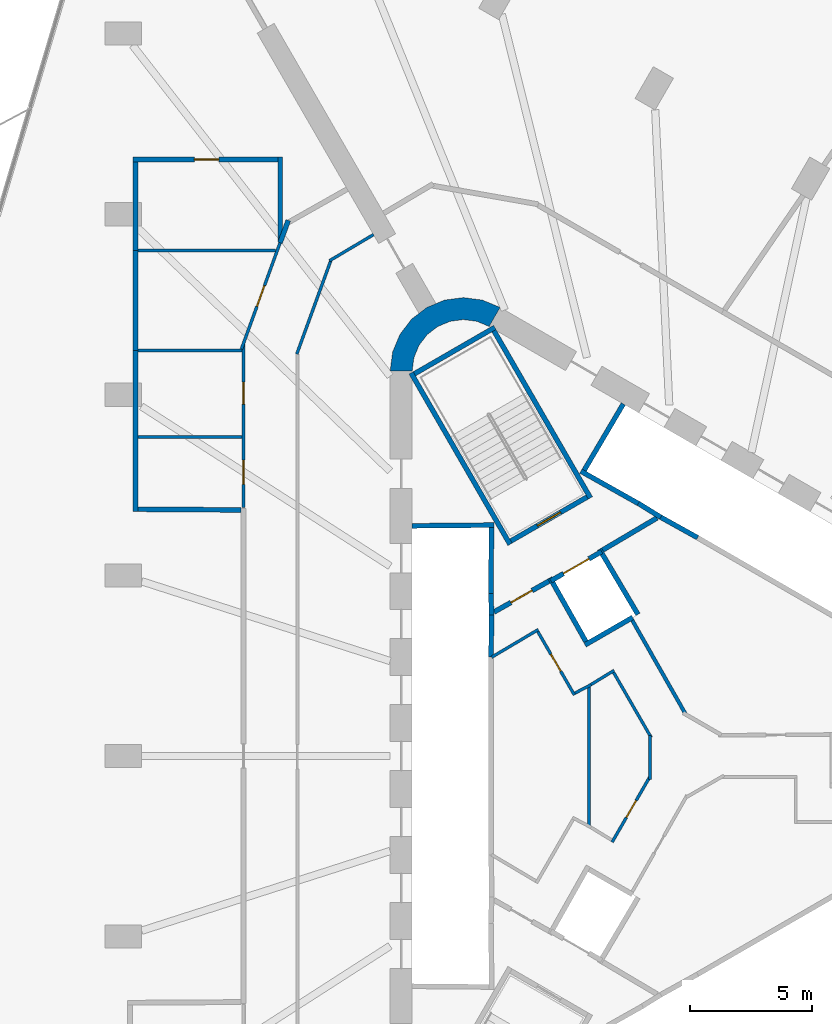
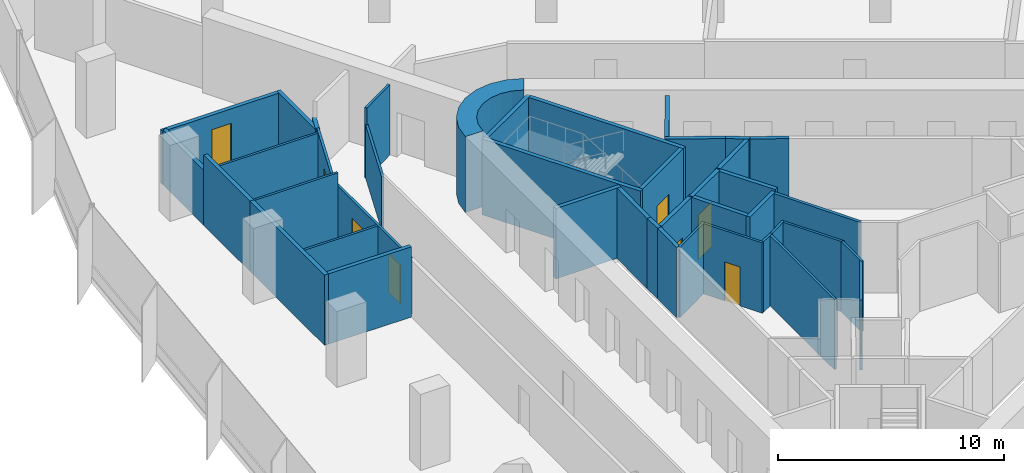
# One storey, part 11 of 15: 42 walls, 9 doors, 9 openings.
"""IFC4 building model written with IfcOpenShell, lengths in metres."""

from ifc_helpers import new_model, si_unit, direction, frame, frame_2d, origin, place, context, subcontext, project, spatial, polyline, rectangle, outline, extrude, material, layer, layer_set, type_object, element, fill, save


model = new_model("IFC4")

# Units and contexts
model_context = context("Model", 3, precision=1e-05, world=origin(), true_north=direction((0.0, 1.0)))
body_context = subcontext(model_context, "Body", "Model", "MODEL_VIEW")
ifc_project = project(units=[si_unit("LENGTHUNIT", "METRE"), si_unit("AREAUNIT", "SQUARE_METRE"), si_unit("VOLUMEUNIT", "CUBIC_METRE"), si_unit("PLANEANGLEUNIT", "RADIAN"), si_unit("MASSUNIT", "GRAM", prefix="KILO")], contexts=[model_context])

# Site, building, storey
site_placement = place(None, origin())
site = spatial("IfcSite", under=ifc_project, at=site_placement, CompositionType="ELEMENT")
building_placement = place(site_placement, origin())
building = spatial("IfcBuilding", under=site, at=building_placement, Name="Tanit Gate Tower", CompositionType="ELEMENT")
storey_placement = place(building_placement, frame((0.0, 0.0, 98.800048828125)))
storey = spatial("IfcBuildingStorey", under=building, at=storey_placement, Name="L20", CompositionType="ELEMENT", Elevation=98.800048828125)

# Walls
ifc_material_1 = material(Name="Concrete C60/75", Category="concrete")
ifc_layer_1 = layer(ifc_material_1, 0.89990234375)
ifc_layer_set_1 = layer_set([ifc_layer_1], Name="CORE WALL 900 C60/75")
wall_type_1 = type_object("IfcWallType", Name="CORE WALL 900 C60/75", PredefinedType="SHEAR", material=ifc_layer_set_1)
wall_1_placement = place(storey_placement, origin())
element("IfcWall", 1, at=wall_1_placement, inside=storey, type_object=wall_type_1, Name="CORE WALL CORNER", PredefinedType="SHEAR", context=body_context, shape_type="SweptSolid", body=[
    extrude(outline(polyline([(-7.60009765625, 18.359619140625), (-8.323486328125, 18.659423828125), (-9.10009765625, 18.76171875), (-9.87646484375, 18.659423828125), (-10.60009765625, 18.359619140625), (-11.22119140625, 17.883056640625), (-11.697998046875, 17.26171875), (-11.997802734375, 16.5380859375), (-12.10009765625, 15.76171875), (-11.199951171875, 15.76171875), (-11.12841796875, 16.30517578125), (-10.918701171875, 16.811767578125), (-10.5849609375, 17.24658203125), (-10.14990234375, 17.580322265625), (-9.6435546875, 17.7900390625), (-9.10009765625, 17.86181640625), (-8.556396484375, 17.7900390625), (-8.050048828125, 17.580322265625), (-7.60009765625, 18.359619140625)])), origin(), (0.0, 0.0, 1.0), 4.099853515625),
])
ifc_material_2 = material(Name="Fire-rated gypsum board partition")
ifc_layer_2 = layer(ifc_material_2, 0.199951171875)
ifc_layer_set_2 = layer_set([ifc_layer_2], Name="INT-WALL-COMPARTMENT")
wall_type_2 = type_object("IfcWallType", Name="INT-WALL-COMPARTMENT", PredefinedType="PARTITIONING", material=ifc_layer_set_2)
wall_2_placement = place(storey_placement, frame((-1.1796875, 9.744384765625, 0.0), z_axis=(0.0, 0.0, 1.0), x_axis=(-0.860615607571, -0.509255118781, 0.0)))
element("IfcWall", 2, at=wall_2_placement, inside=storey, type_object=wall_type_2, Name="Wall Compartment W061", PredefinedType="PARTITIONING", context=body_context, shape_type="SweptSolid", body=[
    extrude(rectangle(XDim=2.58056640625, YDim=0.199951171875, at=frame_2d((1.290283203125, 0.0))), origin(), (0.0, 0.0, 1.0), 3.800048828125),
])

# Wall, opening, door
wall_3_placement = place(storey_placement, frame((-5.600341796875, 7.16015625, 0.0), z_axis=(0.0, 0.0, 1.0), x_axis=(-0.871363259478, -0.490638431059, 0.0)))
wall_3 = element("IfcWall", 3, at=wall_3_placement, inside=storey, type_object=wall_type_2, Name="Wall Compartment W062", PredefinedType="PARTITIONING", context=body_context, shape_type="SweptSolid", body=[
    extrude(rectangle(XDim=2.5810546875, YDim=0.199951171875, at=frame_2d((1.29052734375, 0.0))), origin(), (0.0, 0.0, 1.0), 3.800048828125),
])
opening_1_placement = place(wall_3_placement, frame((0.79052734375, 0.0, 0.0)))
opening_1 = element("IfcOpeningElement", 4, at=opening_1_placement, cuts=wall_3, Name="Opening F10-S04-05", PredefinedType="OPENING", context=body_context, shape_type="SweptSolid", body=[
    extrude(rectangle(XDim=1.0, YDim=2.10009765625, at=frame_2d((0.5, 1.050048828125))), frame((0.0, 0.10986328125, 0.0), z_axis=(0.0, -1.0, 0.0), x_axis=(1.0, 0.0, 0.0)), (0.0, 0.0, 1.0), 0.219970703125),
])
ifc_material_3 = material(Name="Fire-rated steel door leaf", Category="steel")
door_type_1 = type_object("IfcDoorType", Name="INT-DOOR-FIRE-1000", OperationType="NOTDEFINED", PredefinedType="USERDEFINED", material=ifc_material_3)
door_1_placement = place(opening_1_placement, origin())
door_1 = element("IfcDoor", 5, at=door_1_placement, inside=storey, type_object=door_type_1, Name="Door F10-S04-05", ObjectType="FIRE DOOR", OperationType="SINGLE_SWING_LEFT", OverallHeight=2.10009765625, OverallWidth=1.0, PredefinedType="USERDEFINED", context=body_context, shape_type="SweptSolid", body=[
    extrude(rectangle(XDim=1.0, YDim=2.10009765625, at=frame_2d((0.5, 1.050048828125))), frame((0.0, 0.02490234375, 0.0), z_axis=(0.0, -1.0, 0.0), x_axis=(1.0, 0.0, 0.0)), (0.0, 0.0, 1.0), 0.050048828125),
])
fill(opening_1, door_1)

# Walls
wall_4_placement = place(storey_placement, frame((-16.271484375, 21.922607421875, 0.0), z_axis=(0.0, 0.0, 1.0), x_axis=(-0.342165073447, -0.939639857878, 0.0)))
element("IfcWall", 6, at=wall_4_placement, inside=storey, type_object=wall_type_2, Name="Wall Compartment W094", PredefinedType="PARTITIONING", context=body_context, shape_type="SweptSolid", body=[
    extrude(rectangle(XDim=0.975341796875, YDim=0.199951171875, at=frame_2d((0.48779296875, 0.0))), origin(), (0.0, 0.0, 1.0), 2.8798828125),
])
wall_5_placement = place(storey_placement, frame((-22.52001953125, 10.0, 0.0), z_axis=(0.0, 0.0, 1.0), x_axis=(0.0, 1.0, 0.0)))
element("IfcWall", 7, at=wall_5_placement, inside=storey, type_object=wall_type_2, Name="Wall Compartment W120", PredefinedType="PARTITIONING", context=body_context, shape_type="SweptSolid", body=[
    extrude(rectangle(XDim=6.596923828125, YDim=0.199951171875, at=frame_2d((3.29833984375, 0.0))), origin(), (0.0, 0.0, 1.0), 3.800048828125),
])
wall_6_placement = place(storey_placement, frame((-22.52001953125, 16.596923828125, 0.0), z_axis=(0.0, 0.0, 1.0), x_axis=(0.0, 1.0, 0.0)))
element("IfcWall", 8, at=wall_6_placement, inside=storey, type_object=wall_type_2, Name="Wall Compartment W123", PredefinedType="PARTITIONING", context=body_context, shape_type="SweptSolid", body=[
    extrude(rectangle(XDim=4.095458984375, YDim=0.199951171875, at=frame_2d((2.0478515625, 0.0))), origin(), (0.0, 0.0, 1.0), 3.800048828125),
])
wall_7_placement = place(storey_placement, frame((-22.52001953125, 20.6923828125, 0.0), z_axis=(0.0, 0.0, 1.0), x_axis=(0.0, 1.0, 0.0)))
element("IfcWall", 9, at=wall_7_placement, inside=storey, type_object=wall_type_2, Name="Wall Compartment W126", PredefinedType="PARTITIONING", context=body_context, shape_type="SweptSolid", body=[
    extrude(rectangle(XDim=3.61767578125, YDim=0.199951171875, at=frame_2d((1.808837890625, 0.0))), origin(), (0.0, 0.0, 1.0), 2.97998046875),
])
wall_8_placement = place(storey_placement, frame((-18.199951171875, 10.07080078125, 0.0), z_axis=(0.0, 0.0, 1.0), x_axis=(-0.999977091955, 0.006768719685, 0.0)))
element("IfcWall", 10, at=wall_8_placement, inside=storey, type_object=wall_type_2, Name="Wall Compartment W121", PredefinedType="PARTITIONING", context=body_context, shape_type="SweptSolid", body=[
    extrude(rectangle(XDim=4.219970703125, YDim=0.199951171875, at=frame_2d((2.10986328125, 0.0))), origin(), (0.0, 0.0, 1.0), 3.800048828125),
])
wall_9_placement = place(storey_placement, frame((-16.60009765625, 21.03564453125, 0.0), z_axis=(0.0, 0.0, 1.0), x_axis=(0.0, 1.0, 0.0)))
element("IfcWall", 11, at=wall_9_placement, inside=storey, type_object=wall_type_2, Name="Wall Compartment W124", PredefinedType="PARTITIONING", context=body_context, shape_type="SweptSolid", body=[
    extrude(rectangle(XDim=3.474365234375, YDim=0.199951171875, at=frame_2d((1.7373046875, 0.0))), origin(), (0.0, 0.0, 1.0), 2.8798828125),
])

# Wall, opening, door
wall_10_placement = place(storey_placement, frame((-16.699951171875, 24.409912109375, 0.0), z_axis=(0.0, 0.0, 1.0), x_axis=(-1.0, 0.0, 0.0)))
wall_10 = element("IfcWall", 12, at=wall_10_placement, inside=storey, type_object=wall_type_2, Name="Wall Compartment W125", PredefinedType="PARTITIONING", context=body_context, shape_type="SweptSolid", body=[
    extrude(rectangle(XDim=5.920166015625, YDim=0.199951171875, at=frame_2d((2.9599609375, 0.0))), origin(), (0.0, 0.0, 1.0), 2.8798828125),
])
opening_2_placement = place(wall_10_placement, frame((2.409912109375, 0.0, 0.0)))
opening_2 = element("IfcOpeningElement", 13, at=opening_2_placement, cuts=wall_10, Name="Opening F10-S04-19", PredefinedType="OPENING", context=body_context, shape_type="SweptSolid", body=[
    extrude(rectangle(XDim=1.0, YDim=2.10009765625, at=frame_2d((0.5, 1.050048828125))), frame((0.0, 0.10986328125, 0.0), z_axis=(0.0, -1.0, 0.0), x_axis=(1.0, 0.0, 0.0)), (0.0, 0.0, 1.0), 0.219970703125),
])
door_2_placement = place(opening_2_placement, origin())
door_2 = element("IfcDoor", 14, at=door_2_placement, inside=storey, type_object=door_type_1, Name="Door F10-S04-19", ObjectType="FIRE DOOR", OperationType="SINGLE_SWING_LEFT", OverallHeight=2.10009765625, OverallWidth=1.0, PredefinedType="USERDEFINED", context=body_context, shape_type="SweptSolid", body=[
    extrude(rectangle(XDim=1.0, YDim=2.10009765625, at=frame_2d((0.5, 1.050048828125))), frame((0.0, 0.02490234375, 0.0), z_axis=(0.0, -1.0, 0.0), x_axis=(1.0, 0.0, 0.0)), (0.0, 0.0, 1.0), 0.050048828125),
])
fill(opening_2, door_2)

# Walls
ifc_material_4 = material(Name="Gypsum board partition")
ifc_layer_3 = layer(ifc_material_4, 0.1201171875)
ifc_layer_set_3 = layer_set([ifc_layer_3], Name="INT-WALL-PARTITION")
wall_type_3 = type_object("IfcWallType", Name="INT-WALL-PARTITION", PredefinedType="PARTITIONING", material=ifc_layer_set_3)
wall_11_placement = place(storey_placement, frame((-3.9638671875, -2.90771484375, 0.0), z_axis=(0.0, 0.0, 1.0), x_axis=(0.0, 1.0, 0.0)))
element("IfcWall", 15, at=wall_11_placement, inside=storey, type_object=wall_type_3, Name="Wall Partition W074", PredefinedType="PARTITIONING", context=body_context, shape_type="SweptSolid", body=[
    extrude(rectangle(XDim=5.8154296875, YDim=0.1201171875, at=frame_2d((2.90771484375, 0.0))), origin(), (0.0, 0.0, 1.0), 3.800048828125),
])
wall_12_placement = place(storey_placement, frame((-6.03662109375, 5.17578125, 0.0), z_axis=(0.0, 0.0, 1.0), x_axis=(-0.860106072674, -0.510115225953, 0.0)))
element("IfcWall", 16, at=wall_12_placement, inside=storey, type_object=wall_type_3, Name="Wall Partition W078", PredefinedType="PARTITIONING", context=body_context, shape_type="SweptSolid", body=[
    extrude(rectangle(XDim=2.224609375, YDim=0.1201171875, at=frame_2d((1.1123046875, 0.0))), origin(), (0.0, 0.0, 1.0), 3.800048828125),
])

# Wall, opening, door
wall_13_placement = place(storey_placement, frame((-4.558349609375, 2.4951171875, 0.0), z_axis=(0.0, 0.0, 1.0), x_axis=(-0.499990139034, 0.866031096941, 0.0)))
wall_13 = element("IfcWall", 17, at=wall_13_placement, inside=storey, type_object=wall_type_3, Name="Wall Partition W079", PredefinedType="PARTITIONING", context=body_context, shape_type="SweptSolid", body=[
    extrude(rectangle(XDim=3.0, YDim=0.1201171875, at=frame_2d((1.5, 0.0))), origin(), (0.0, 0.0, 1.0), 3.800048828125),
])
opening_3_placement = place(wall_13_placement, frame((1.1298828125, 0.0, 0.0)))
opening_3 = element("IfcOpeningElement", 18, at=opening_3_placement, cuts=wall_13, Name="Opening R08-S04-12", PredefinedType="OPENING", context=body_context, shape_type="SweptSolid", body=[
    extrude(rectangle(XDim=0.800048828125, YDim=2.10009765625, at=frame_2d((0.39990234375, 1.050048828125))), frame((0.0, 0.070068359375, 0.0), z_axis=(0.0, -1.0, 0.0), x_axis=(1.0, 0.0, 0.0)), (0.0, 0.0, 1.0), 0.14013671875),
])
ifc_material_5 = material(Name="Timber door leaf", Category="wood")
door_type_2 = type_object("IfcDoorType", Name="INT-DOOR-RISER-800", OperationType="NOTDEFINED", PredefinedType="USERDEFINED", material=ifc_material_5)
door_3_placement = place(opening_3_placement, origin())
door_3 = element("IfcDoor", 19, at=door_3_placement, inside=storey, type_object=door_type_2, Name="Door R08-S04-12", ObjectType="FIRE DOOR", OperationType="SINGLE_SWING_LEFT", OverallHeight=2.10009765625, OverallWidth=0.800048828125, PredefinedType="USERDEFINED", context=body_context, shape_type="SweptSolid", body=[
    extrude(rectangle(XDim=0.800048828125, YDim=2.10009765625, at=frame_2d((0.39990234375, 1.050048828125))), frame((0.0, 0.02490234375, 0.0), z_axis=(0.0, -1.0, 0.0), x_axis=(1.0, 0.0, 0.0)), (0.0, 0.0, 1.0), 0.050048828125),
])
fill(opening_3, door_3)

# Walls
wall_14_placement = place(storey_placement, frame((-3.880615234375, 2.918701171875, 0.0), z_axis=(0.0, 0.0, 1.0), x_axis=(-0.885333337811, -0.464956859246, 0.0)))
element("IfcWall", 20, at=wall_14_placement, inside=storey, type_object=wall_type_3, Name="Wall Partition W080", PredefinedType="PARTITIONING", context=body_context, shape_type="SweptSolid", body=[
    extrude(rectangle(XDim=0.7392578125, YDim=0.1201171875, at=frame_2d((0.36962890625, 0.0))), origin(), (0.0, 0.0, 1.0), 3.800048828125),
])
wall_15_placement = place(storey_placement, frame((-2.93505859375, 3.50341796875, 0.0), z_axis=(0.0, 0.0, 1.0), x_axis=(-0.852471794044, -0.522773220774, 0.0)))
element("IfcWall", 21, at=wall_15_placement, inside=storey, type_object=wall_type_3, Name="Wall Partition W081", PredefinedType="PARTITIONING", context=body_context, shape_type="SweptSolid", body=[
    extrude(rectangle(XDim=1.111572265625, YDim=0.1201171875, at=frame_2d((0.5556640625, 0.0))), origin(), (0.0, 0.0, 1.0), 3.800048828125),
])
wall_16_placement = place(storey_placement, frame((-1.420166015625, 0.760009765625, 0.0), z_axis=(0.0, 0.0, 1.0), x_axis=(-0.500011413361, 0.866018814177, 0.0)))
element("IfcWall", 22, at=wall_16_placement, inside=storey, type_object=wall_type_3, Name="Wall Partition W082", PredefinedType="PARTITIONING", context=body_context, shape_type="SweptSolid", body=[
    extrude(rectangle(XDim=3.07177734375, YDim=0.1201171875, at=frame_2d((1.535888671875, 0.0))), origin(), (0.0, 0.0, 1.0), 3.800048828125),
])
wall_17_placement = place(storey_placement, frame((-1.47216796875, -0.953857421875, 0.0), z_axis=(0.0, 0.0, 1.0), x_axis=(0.0, 1.0, 0.0)))
element("IfcWall", 23, at=wall_17_placement, inside=storey, type_object=wall_type_3, Name="Wall Partition W083", PredefinedType="PARTITIONING", context=body_context, shape_type="SweptSolid", body=[
    extrude(rectangle(XDim=1.785400390625, YDim=0.1201171875, at=frame_2d((0.892578125, 0.0))), origin(), (0.0, 0.0, 1.0), 3.800048828125),
])

# Wall, opening, door
wall_18_placement = place(storey_placement, frame((-3.01611328125, -3.524169921875, 0.0), z_axis=(0.0, 0.0, 1.0), x_axis=(0.499988681553, 0.866031938394, 0.0)))
wall_18 = element("IfcWall", 24, at=wall_18_placement, inside=storey, type_object=wall_type_3, Name="Wall Partition W084", PredefinedType="PARTITIONING", context=body_context, shape_type="SweptSolid", body=[
    extrude(rectangle(XDim=3.0693359375, YDim=0.1201171875, at=frame_2d((1.53466796875, 0.0))), origin(), (0.0, 0.0, 1.0), 3.800048828125),
])
opening_4_placement = place(wall_18_placement, frame((1.16455078125, 0.0, 0.0)))
opening_4 = element("IfcOpeningElement", 25, at=opening_4_placement, cuts=wall_18, Name="Opening R08-S04-13", PredefinedType="OPENING", context=body_context, shape_type="SweptSolid", body=[
    extrude(rectangle(XDim=0.800048828125, YDim=2.10009765625, at=frame_2d((0.39990234375, 1.050048828125))), frame((0.0, 0.070068359375, 0.0), z_axis=(0.0, -1.0, 0.0), x_axis=(1.0, 0.0, 0.0)), (0.0, 0.0, 1.0), 0.14013671875),
])
door_4_placement = place(opening_4_placement, origin())
door_4 = element("IfcDoor", 26, at=door_4_placement, inside=storey, type_object=door_type_2, Name="Door R08-S04-13", ObjectType="FIRE DOOR", OperationType="SINGLE_SWING_LEFT", OverallHeight=2.10009765625, OverallWidth=0.800048828125, PredefinedType="USERDEFINED", context=body_context, shape_type="SweptSolid", body=[
    extrude(rectangle(XDim=0.800048828125, YDim=2.10009765625, at=frame_2d((0.39990234375, 1.050048828125))), frame((0.0, 0.02490234375, 0.0), z_axis=(0.0, -1.0, 0.0), x_axis=(1.0, 0.0, 0.0)), (0.0, 0.0, 1.0), 0.050048828125),
])
fill(opening_4, door_4)

# Walls
wall_19_placement = place(storey_placement, frame((-12.781982421875, 21.339111328125, 0.0), z_axis=(0.0, 0.0, 1.0), x_axis=(-0.859769901207, -0.510681619973, 0.0)))
element("IfcWall", 27, at=wall_19_placement, inside=storey, type_object=wall_type_3, Name="Wall Partition W086", PredefinedType="PARTITIONING", context=body_context, shape_type="SweptSolid", body=[
    extrude(rectangle(XDim=2.092529296875, YDim=0.1201171875, at=frame_2d((1.04638671875, 0.0))), origin(), (0.0, 0.0, 1.0), 3.800048828125),
])
wall_20_placement = place(storey_placement, frame((-14.527587890625, 20.281982421875, 0.0), z_axis=(0.0, 0.0, 1.0), x_axis=(-0.341969257767, -0.939711140054, 0.0)))
element("IfcWall", 28, at=wall_20_placement, inside=storey, type_object=wall_type_3, Name="Wall Partition W087", PredefinedType="PARTITIONING", context=body_context, shape_type="SweptSolid", body=[
    extrude(rectangle(XDim=4.072998046875, YDim=0.1201171875, at=frame_2d((2.03662109375, 0.0))), origin(), (0.0, 0.0, 1.0), 2.8798828125),
])

# Wall, openings, doors
wall_21_placement = place(storey_placement, frame((-18.10009765625, 16.89892578125, 0.0), z_axis=(0.0, 0.0, 1.0), x_axis=(0.0, -1.0, 0.0)))
wall_21 = element("IfcWall", 29, at=wall_21_placement, inside=storey, type_object=wall_type_3, Name="Wall Partition W097", PredefinedType="PARTITIONING", context=body_context, shape_type="SweptSolid", body=[
    extrude(rectangle(XDim=6.72900390625, YDim=0.1201171875, at=frame_2d((3.364501953125, 0.0))), origin(), (0.0, 0.0, 1.0), 3.079833984375),
])
opening_5_placement = place(wall_21_placement, frame((4.785888671875, 0.0, 0.0)))
opening_5 = element("IfcOpeningElement", 30, at=opening_5_placement, cuts=wall_21, Name="Opening D10-S04-16", PredefinedType="OPENING", context=body_context, shape_type="SweptSolid", body=[
    extrude(rectangle(XDim=1.0, YDim=2.10009765625, at=frame_2d((0.5, 1.050048828125))), frame((0.0, 0.070068359375, 0.0), z_axis=(0.0, -1.0, 0.0), x_axis=(1.0, 0.0, 0.0)), (0.0, 0.0, 1.0), 0.14013671875),
])
opening_6_placement = place(wall_21_placement, frame((1.592529296875, 0.0, 0.0)))
opening_6 = element("IfcOpeningElement", 31, at=opening_6_placement, cuts=wall_21, Name="Opening D09-S04-17", PredefinedType="OPENING", context=body_context, shape_type="SweptSolid", body=[
    extrude(rectangle(XDim=0.89990234375, YDim=2.10009765625, at=frame_2d((0.449951171875, 1.050048828125))), frame((0.0, 0.070068359375, 0.0), z_axis=(0.0, -1.0, 0.0), x_axis=(1.0, 0.0, 0.0)), (0.0, 0.0, 1.0), 0.14013671875),
])
ifc_material_6 = material(Name="Timber door leaf", Category="wood")
door_type_3 = type_object("IfcDoorType", Name="INT-DOOR-SINGLE-1000", OperationType="NOTDEFINED", PredefinedType="NOTDEFINED", material=ifc_material_6)
door_5_placement = place(opening_5_placement, origin())
door_5 = element("IfcDoor", 32, at=door_5_placement, inside=storey, type_object=door_type_3, Name="Door D10-S04-16", OperationType="SINGLE_SWING_LEFT", OverallHeight=2.10009765625, OverallWidth=1.0, PredefinedType="NOTDEFINED", context=body_context, shape_type="SweptSolid", body=[
    extrude(rectangle(XDim=1.0, YDim=2.10009765625, at=frame_2d((0.5, 1.050048828125))), frame((0.0, 0.02490234375, 0.0), z_axis=(0.0, -1.0, 0.0), x_axis=(1.0, 0.0, 0.0)), (0.0, 0.0, 1.0), 0.050048828125),
])
fill(opening_5, door_5)
ifc_material_7 = material(Name="Timber door leaf", Category="wood")
door_type_4 = type_object("IfcDoorType", Name="INT-DOOR-SINGLE-900", OperationType="NOTDEFINED", PredefinedType="NOTDEFINED", material=ifc_material_7)
door_6_placement = place(opening_6_placement, origin())
door_6 = element("IfcDoor", 33, at=door_6_placement, inside=storey, type_object=door_type_4, Name="Door D09-S04-17", OperationType="SINGLE_SWING_RIGHT", OverallHeight=2.10009765625, OverallWidth=0.89990234375, PredefinedType="NOTDEFINED", context=body_context, shape_type="SweptSolid", body=[
    extrude(rectangle(XDim=0.89990234375, YDim=2.10009765625, at=frame_2d((0.449951171875, 1.050048828125))), frame((0.0, 0.02490234375, 0.0), z_axis=(0.0, -1.0, 0.0), x_axis=(1.0, 0.0, 0.0)), (0.0, 0.0, 1.0), 0.050048828125),
])
fill(opening_6, door_6)

# Wall, opening, door
wall_22_placement = place(storey_placement, frame((-16.605224609375, 21.006103515625, 0.0), z_axis=(0.0, 0.0, 1.0), x_axis=(-0.342014101174, -0.939694819927, 0.0)))
wall_22 = element("IfcWall", 34, at=wall_22_placement, inside=storey, type_object=wall_type_3, Name="Wall Partition W098", PredefinedType="PARTITIONING", context=body_context, shape_type="SweptSolid", body=[
    extrude(rectangle(XDim=4.62841796875, YDim=0.1201171875, at=frame_2d((2.314208984375, 0.0))), origin(), (0.0, 0.0, 1.0), 2.97998046875),
])
opening_7_placement = place(wall_22_placement, frame((1.87109375, 0.0, 0.0)))
opening_7 = element("IfcOpeningElement", 35, at=opening_7_placement, cuts=wall_22, Name="Opening D09-S04-18", PredefinedType="OPENING", context=body_context, shape_type="SweptSolid", body=[
    extrude(rectangle(XDim=0.89990234375, YDim=2.10009765625, at=frame_2d((0.449951171875, 1.050048828125))), frame((0.0, 0.070068359375, 0.0), z_axis=(0.0, -1.0, 0.0), x_axis=(1.0, 0.0, 0.0)), (0.0, 0.0, 1.0), 0.14013671875),
])
door_7_placement = place(opening_7_placement, origin())
door_7 = element("IfcDoor", 36, at=door_7_placement, inside=storey, type_object=door_type_4, Name="Door D09-S04-18", OperationType="SINGLE_SWING_LEFT", OverallHeight=2.10009765625, OverallWidth=0.89990234375, PredefinedType="NOTDEFINED", context=body_context, shape_type="SweptSolid", body=[
    extrude(rectangle(XDim=0.89990234375, YDim=2.10009765625, at=frame_2d((0.449951171875, 1.050048828125))), frame((0.0, 0.02490234375, 0.0), z_axis=(0.0, -1.0, 0.0), x_axis=(1.0, 0.0, 0.0)), (0.0, 0.0, 1.0), 0.050048828125),
])
fill(opening_7, door_7)

# Walls
wall_23_placement = place(storey_placement, frame((-22.419921875, 13.055908203125, 0.0), z_axis=(0.0, 0.0, 1.0), x_axis=(1.0, 0.0, 0.0)))
element("IfcWall", 37, at=wall_23_placement, inside=storey, type_object=wall_type_3, Name="Wall Partition W141", PredefinedType="PARTITIONING", context=body_context, shape_type="SweptSolid", body=[
    extrude(rectangle(XDim=4.260009765625, YDim=0.1201171875, at=frame_2d((2.1298828125, 0.0))), origin(), (0.0, 0.0, 1.0), 3.079833984375),
])
wall_24_placement = place(storey_placement, frame((-22.419921875, 16.596923828125, 0.0), z_axis=(0.0, 0.0, 1.0), x_axis=(1.0, 0.0, 0.0)))
element("IfcWall", 38, at=wall_24_placement, inside=storey, type_object=wall_type_3, Name="Wall Partition W142", PredefinedType="PARTITIONING", context=body_context, shape_type="SweptSolid", body=[
    extrude(rectangle(XDim=4.260009765625, YDim=0.1201171875, at=frame_2d((2.1298828125, 0.0))), origin(), (0.0, 0.0, 1.0), 3.800048828125),
])
wall_25_placement = place(storey_placement, frame((-22.419921875, 20.6923828125, 0.0), z_axis=(0.0, 0.0, 1.0), x_axis=(1.0, 0.0, 0.0)))
element("IfcWall", 39, at=wall_25_placement, inside=storey, type_object=wall_type_3, Name="Wall Partition W143", PredefinedType="PARTITIONING", context=body_context, shape_type="SweptSolid", body=[
    extrude(rectangle(XDim=5.63671875, YDim=0.1201171875, at=frame_2d((2.818359375, 0.0))), origin(), (0.0, 0.0, 1.0), 2.97998046875),
])
ifc_material_8 = material(Name="Fire-rated gypsum board partition")
ifc_layer_4 = layer(ifc_material_8, 0.14990234375)
ifc_layer_set_4 = layer_set([ifc_layer_4], Name="INT-WALL-RISER")
wall_type_4 = type_object("IfcWallType", Name="INT-WALL-RISER", PredefinedType="PLUMBINGWALL", material=ifc_layer_set_4)
wall_26_placement = place(storey_placement, frame((-2.18896484375, 5.549072265625, 0.0), z_axis=(0.0, 0.0, 1.0), x_axis=(0.494335077001, -0.869271437266, 0.0)))
element("IfcWall", 40, at=wall_26_placement, inside=storey, type_object=wall_type_4, Name="Wall Riser W067", PredefinedType="PLUMBINGWALL", context=body_context, shape_type="SweptSolid", body=[
    extrude(rectangle(XDim=4.404296875, YDim=0.14990234375, at=frame_2d((2.2021484375, 0.0))), origin(), (0.0, 0.0, 1.0), 3.800048828125),
])
ifc_material_9 = material(Name="Gypsum shaft wall system")
ifc_layer_5 = layer(ifc_material_9, 0.199951171875)
ifc_layer_set_5 = layer_set([ifc_layer_5], Name="INT-WALL-SHAFT")
wall_type_5 = type_object("IfcWallType", Name="INT-WALL-SHAFT", PredefinedType="PLUMBINGWALL", material=ifc_layer_set_5)
wall_27_placement = place(storey_placement, frame((-11.199951171875, 9.419921875, 0.0), z_axis=(0.0, 0.0, 1.0), x_axis=(0.999957167047, 0.009255488683, 0.0)))
element("IfcWall", 41, at=wall_27_placement, inside=storey, type_object=wall_type_5, Name="Wall Shaft W001", PredefinedType="PLUMBINGWALL", context=body_context, shape_type="SweptSolid", body=[
    extrude(rectangle(XDim=3.35009765625, YDim=0.199951171875, at=frame_2d((1.675048828125, 0.0))), origin(), (0.0, 0.0, 1.0), 3.800048828125),
])
wall_28_placement = place(storey_placement, frame((-7.951171875, 9.35009765625, 0.0), z_axis=(0.0, 0.0, 1.0), x_axis=(-0.011120469654, -0.999938165666, 0.0)))
element("IfcWall", 42, at=wall_28_placement, inside=storey, type_object=wall_type_5, Name="Wall Shaft W002", PredefinedType="PLUMBINGWALL", context=body_context, shape_type="SweptSolid", body=[
    extrude(rectangle(XDim=2.700439453125, YDim=0.199951171875, at=frame_2d((1.35009765625, 0.0))), origin(), (0.0, 0.0, 1.0), 3.800048828125),
])
wall_29_placement = place(storey_placement, frame((-7.97705078125, 6.650146484375, 0.0), z_axis=(0.0, 0.0, 1.0), x_axis=(0.030861509705, -0.999523670164, 0.0)))
element("IfcWall", 43, at=wall_29_placement, inside=storey, type_object=wall_type_5, Name="Wall Shaft W004", PredefinedType="PLUMBINGWALL", context=body_context, shape_type="SweptSolid", body=[
    extrude(rectangle(XDim=0.878173828125, YDim=0.199951171875, at=frame_2d((0.43896484375, 0.0))), origin(), (0.0, 0.0, 1.0), 3.800048828125),
])
wall_30_placement = place(storey_placement, frame((-7.94921875, 5.894775390625, 0.0), z_axis=(0.0, 0.0, 1.0), x_axis=(-0.012042535896, -0.999927486035, 0.0)))
element("IfcWall", 44, at=wall_30_placement, inside=storey, type_object=wall_type_5, Name="Wall Shaft W005", PredefinedType="PLUMBINGWALL", context=body_context, shape_type="SweptSolid", body=[
    extrude(rectangle(XDim=1.844970703125, YDim=0.199951171875, at=frame_2d((0.92236328125, 0.0))), origin(), (0.0, 0.0, 1.0), 3.800048828125),
])
wall_31_placement = place(storey_placement, frame((-1.940673828125, 10.338623046875, 0.0), z_axis=(0.0, 0.0, 1.0), x_axis=(0.850216889117, -0.526432561171, 0.0)))
element("IfcWall", 45, at=wall_31_placement, inside=storey, type_object=wall_type_5, Name="Wall Shaft W019", PredefinedType="PLUMBINGWALL", context=body_context, shape_type="SweptSolid", body=[
    extrude(rectangle(XDim=1.078369140625, YDim=0.199951171875, at=frame_2d((0.5390625, 0.0))), origin(), (0.0, 0.0, 1.0), 3.800048828125),
])
wall_32_placement = place(storey_placement, frame((0.482666015625, 8.935791015625, 0.0), z_axis=(0.0, 0.0, 1.0), x_axis=(-0.874269620932, 0.485440655401, 0.0)))
element("IfcWall", 46, at=wall_32_placement, inside=storey, type_object=wall_type_5, Name="Wall Shaft W020", PredefinedType="PLUMBINGWALL", context=body_context, shape_type="SweptSolid", body=[
    extrude(rectangle(XDim=1.8447265625, YDim=0.199951171875, at=frame_2d((0.92236328125, 0.0))), origin(), (0.0, 0.0, 1.0), 3.800048828125),
])
wall_33_placement = place(storey_placement, frame((-4.296142578125, 11.658935546875, 0.0), z_axis=(0.0, 0.0, 1.0), x_axis=(0.871534483978, -0.490334215854, 0.0)))
element("IfcWall", 47, at=wall_33_placement, inside=storey, type_object=wall_type_5, Name="Wall Shaft W021", PredefinedType="PLUMBINGWALL", context=body_context, shape_type="SweptSolid", body=[
    extrude(rectangle(XDim=2.7001953125, YDim=0.199951171875, at=frame_2d((1.35009765625, 0.0))), origin(), (0.0, 0.0, 1.0), 3.800048828125),
])
wall_34_placement = place(storey_placement, frame((-4.158203125, 11.696044921875, 0.0), z_axis=(0.0, 0.0, 1.0), x_axis=(0.508018930956, 0.861345903683, 0.0)))
element("IfcWall", 48, at=wall_34_placement, inside=storey, type_object=wall_type_5, Name="Wall Shaft W022", PredefinedType="PLUMBINGWALL", context=body_context, shape_type="SweptSolid", body=[
    extrude(rectangle(XDim=3.150146484375, YDim=0.199951171875, at=frame_2d((1.5751953125, 0.0))), origin(), (0.0, 0.0, 1.0), 3.800048828125),
])

# Wall, opening, door
wall_35_placement = place(storey_placement, frame((-5.524169921875, 7.168212890625, 0.0), z_axis=(0.0, 0.0, 1.0), x_axis=(0.866024647952, 0.500001309137, 0.0)))
wall_35 = element("IfcWall", 49, at=wall_35_placement, inside=storey, type_object=wall_type_5, Name="Wall Shaft W045", PredefinedType="PLUMBINGWALL", context=body_context, shape_type="SweptSolid", body=[
    extrude(rectangle(XDim=2.39990234375, YDim=0.199951171875, at=frame_2d((1.199951171875, 0.0))), origin(), (0.0, 0.0, 1.0), 3.800048828125),
])
opening_8_placement = place(wall_35_placement, frame((0.60009765625, 0.0, 0.0)))
opening_8 = element("IfcOpeningElement", 50, at=opening_8_placement, cuts=wall_35, Name="Opening LDFL2-L20", PredefinedType="OPENING", context=body_context, shape_type="SweptSolid", body=[
    extrude(rectangle(XDim=1.199951171875, YDim=2.39990234375, at=frame_2d((0.60009765625, 1.199951171875))), frame((0.0, 0.10986328125, 0.0), z_axis=(0.0, -1.0, 0.0), x_axis=(1.0, 0.0, 0.0)), (0.0, 0.0, 1.0), 0.219970703125),
])
ifc_material_10 = material(Name="Stainless steel sliding door leaf", Category="steel")
door_type_5 = type_object("IfcDoorType", Name="INT-DOOR-LANDING-1200", OperationType="NOTDEFINED", PredefinedType="USERDEFINED", material=ifc_material_10)
door_8_placement = place(opening_8_placement, origin())
door_8 = element("IfcDoor", 51, at=door_8_placement, inside=storey, type_object=door_type_5, Name="Door LDFL2-L20", ObjectType="LANDING DOOR", OperationType="SLIDING_TO_LEFT", OverallHeight=2.39990234375, OverallWidth=1.199951171875, PredefinedType="USERDEFINED", context=body_context, shape_type="SweptSolid", body=[
    extrude(rectangle(XDim=1.199951171875, YDim=2.39990234375, at=frame_2d((0.60009765625, 1.199951171875))), frame((0.0, 0.02490234375, 0.0), z_axis=(0.0, -1.0, 0.0), x_axis=(1.0, 0.0, 0.0)), (0.0, 0.0, 1.0), 0.050048828125),
])
fill(opening_8, door_8)

# Walls
wall_36_placement = place(storey_placement, frame((-3.53759765625, 8.46533203125, 0.0), z_axis=(0.0, 0.0, 1.0), x_axis=(0.508647062354, -0.860975125052, 0.0)))
element("IfcWall", 52, at=wall_36_placement, inside=storey, type_object=wall_type_5, Name="Wall Shaft W046", PredefinedType="PLUMBINGWALL", context=body_context, shape_type="SweptSolid", body=[
    extrude(rectangle(XDim=3.10009765625, YDim=0.199951171875, at=frame_2d((1.550048828125, 0.0))), origin(), (0.0, 0.0, 1.0), 3.800048828125),
])
wall_37_placement = place(storey_placement, frame((-2.17333984375, 5.67333984375, 0.0), z_axis=(0.0, 0.0, 1.0), x_axis=(-0.866028691075, -0.499994306202, 0.0)))
element("IfcWall", 53, at=wall_37_placement, inside=storey, type_object=wall_type_5, Name="Wall Shaft W047", PredefinedType="PLUMBINGWALL", context=body_context, shape_type="SweptSolid", body=[
    extrude(rectangle(XDim=2.25439453125, YDim=0.199951171875, at=frame_2d((1.127197265625, 0.0))), origin(), (0.0, 0.0, 1.0), 3.800048828125),
])
wall_38_placement = place(storey_placement, frame((-5.5625, 7.29638671875, 0.0), z_axis=(0.0, 0.0, 1.0), x_axis=(0.49134651263, -0.870964180966, 0.0)))
element("IfcWall", 54, at=wall_38_placement, inside=storey, type_object=wall_type_5, Name="Wall Shaft W048", PredefinedType="PLUMBINGWALL", context=body_context, shape_type="SweptSolid", body=[
    extrude(rectangle(XDim=3.000244140625, YDim=0.199951171875, at=frame_2d((1.5, 0.0))), origin(), (0.0, 0.0, 1.0), 3.800048828125),
])
ifc_material_11 = material(Name="Concrete C40/50", Category="concrete")
ifc_layer_6 = layer(ifc_material_11, 0.199951171875)
ifc_layer_set_6 = layer_set([ifc_layer_6], Name="INT-WALL-STAIR")
wall_type_6 = type_object("IfcWallType", Name="INT-WALL-STAIR", PredefinedType="SHEAR", material=ifc_layer_set_6)
wall_39_placement = place(storey_placement, frame((-11.245361328125, 15.677734375, -0.300048828125), z_axis=(0.0, 0.0, 1.0), x_axis=(0.499977274689, -0.866038523851, 0.0)))
element("IfcWall", 55, at=wall_39_placement, inside=storey, type_object=wall_type_6, Name="Wall Stair W041", PredefinedType="SHEAR", context=body_context, shape_type="SweptSolid", body=[
    extrude(rectangle(XDim=8.10009765625, YDim=0.199951171875, at=frame_2d((4.050048828125, 0.0))), origin(), (0.0, 0.0, 1.0), 4.10009765625),
])
wall_40_placement = place(storey_placement, frame((-7.81787109375, 17.541015625, -0.300048828125), z_axis=(0.0, 0.0, 1.0), x_axis=(-0.866044365799, -0.499967155389, 0.0)))
element("IfcWall", 56, at=wall_40_placement, inside=storey, type_object=wall_type_6, Name="Wall Stair W042", PredefinedType="SHEAR", context=body_context, shape_type="SweptSolid", body=[
    extrude(rectangle(XDim=3.800048828125, YDim=0.199951171875, at=frame_2d((1.89990234375, 0.0))), origin(), (0.0, 0.0, 1.0), 4.10009765625),
])
wall_41_placement = place(storey_placement, frame((-7.8544921875, 17.404541015625, -0.300048828125), z_axis=(0.0, 0.0, 1.0), x_axis=(0.499997992926, -0.866026562566, 0.0)))
element("IfcWall", 57, at=wall_41_placement, inside=storey, type_object=wall_type_6, Name="Wall Stair W043", PredefinedType="SHEAR", context=body_context, shape_type="SweptSolid", body=[
    extrude(rectangle(XDim=7.89990234375, YDim=0.199951171875, at=frame_2d((3.949951171875, 0.0))), origin(), (0.0, 0.0, 1.0), 4.10009765625),
])

# Wall, opening, door
wall_42_placement = place(storey_placement, frame((-7.158935546875, 8.799560546875, -0.300048828125), z_axis=(0.0, 0.0, 1.0), x_axis=(0.866047807691, 0.499961193289, 0.0)))
wall_42 = element("IfcWall", 58, at=wall_42_placement, inside=storey, type_object=wall_type_6, Name="Wall Stair W044", PredefinedType="SHEAR", context=body_context, shape_type="SweptSolid", body=[
    extrude(rectangle(XDim=3.599853515625, YDim=0.199951171875, at=frame_2d((1.7998046875, 0.0))), origin(), (0.0, 0.0, 1.0), 4.10009765625),
])
opening_9_placement = place(wall_42_placement, frame((1.25, 0.0, 0.300048828125)))
opening_9 = element("IfcOpeningElement", 59, at=opening_9_placement, cuts=wall_42, Name="Opening S11-S04-04", PredefinedType="OPENING", context=body_context, shape_type="SweptSolid", body=[
    extrude(rectangle(XDim=1.10009765625, YDim=2.10009765625, at=frame_2d((0.550048828125, 1.050048828125))), frame((0.0, 0.10986328125, 0.0), z_axis=(0.0, -1.0, 0.0), x_axis=(1.0, 0.0, 0.0)), (0.0, 0.0, 1.0), 0.219970703125),
])
ifc_material_12 = material(Name="Timber door leaf", Category="wood")
door_type_6 = type_object("IfcDoorType", Name="INT-DOOR-STAIR-1100", OperationType="NOTDEFINED", PredefinedType="USERDEFINED", material=ifc_material_12)
door_9_placement = place(opening_9_placement, origin())
door_9 = element("IfcDoor", 60, at=door_9_placement, inside=storey, type_object=door_type_6, Name="Door S11-S04-04", ObjectType="FIRE DOOR", OperationType="SINGLE_SWING_RIGHT", OverallHeight=2.10009765625, OverallWidth=1.10009765625, PredefinedType="USERDEFINED", context=body_context, shape_type="SweptSolid", body=[
    extrude(rectangle(XDim=1.10009765625, YDim=2.10009765625, at=frame_2d((0.550048828125, 1.050048828125))), frame((0.0, 0.02490234375, 0.0), z_axis=(0.0, -1.0, 0.0), x_axis=(1.0, 0.0, 0.0)), (0.0, 0.0, 1.0), 0.050048828125),
])
fill(opening_9, door_9)

save(model, "model.ifc")
